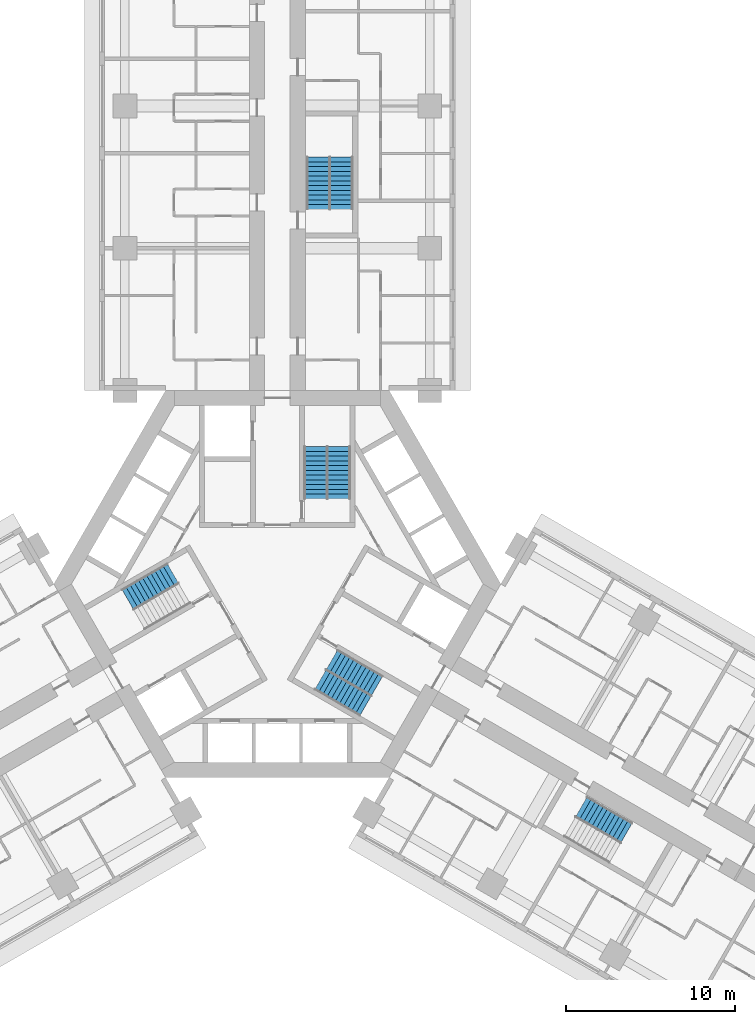
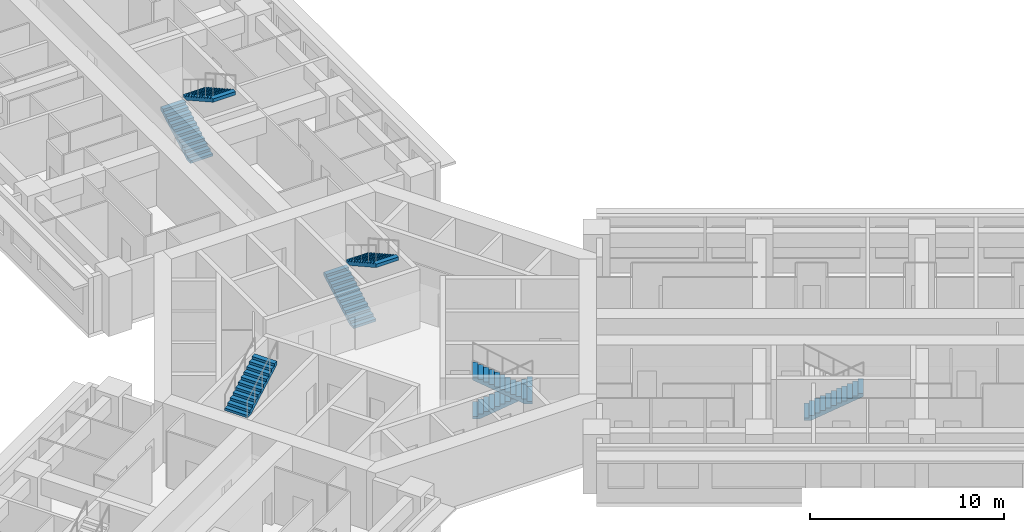
# One storey, part 15 of 16: 8 stair flights, 5 elements without a shape of their own.
"""IFC4 building model written with IfcOpenShell, lengths in metres."""

import ifcopenshell
import ifcopenshell.guid

model = None  # the IFC model being written
_history = None  # IfcOwnerHistory: only IFC2X3 demands one
_inside = {}  # id of a spatial element -> (the spatial element, [elements in it])
_under = {}  # id of a project, library or spatial element -> (it, [spatial elements below it])
_declared = {}  # id of a project -> (the project, [libraries it declares])
_typed = {}  # id of a type object -> (the type object, [elements of that type])
_made_of = {}  # id of a material, layer set ... -> (it, [elements and type objects made of it])


def new_model(schema):
    """Start an empty IFC model of exactly this schema.

    Asked for "IFC4X3", IfcOpenShell would pick the latest addendum, in which some entities
    have other attributes; the version numbers below select the first issue.
    IFC2X3 requires an IfcOwnerHistory on every rooted entity: one is made here for all.
    """
    global model, _history
    if schema == "IFC4X3":
        model = ifcopenshell.file(schema_version=(4, 3, 0, 0))
    else:
        model = ifcopenshell.file(schema=schema)
    _inside.clear()
    _under.clear()
    _declared.clear()
    _typed.clear()
    _made_of.clear()
    _history = None
    if model.schema == "IFC2X3":
        org = make("IfcOrganization", Name="unknown")
        user = make(
            "IfcPersonAndOrganization",
            ThePerson=make("IfcPerson", FamilyName="unknown"),
            TheOrganization=org,
        )
        app = make(
            "IfcApplication",
            ApplicationDeveloper=org,
            Version="unknown",
            ApplicationFullName="unknown",
            ApplicationIdentifier="unknown",
        )
        _history = make(
            "IfcOwnerHistory",
            OwningUser=user,
            OwningApplication=app,
            ChangeAction="ADDED",
            CreationDate=0,
        )
    return model


def make(cls, **values):
    """One entity of the class cls with the attributes given. An attribute that is None is left unset."""
    return model.create_entity(
        cls, **{name: value for name, value in values.items() if value is not None}
    )


def rooted(cls, **values):
    """An entity with a GlobalId (a new one), such as an element, a storey or a relation."""
    return make(cls, GlobalId=ifcopenshell.guid.new(), OwnerHistory=_history, **values)


def si_unit(unit_type, name, prefix=None):
    """IfcSIUnit, for example si_unit("LENGTHUNIT", "METRE", prefix="MILLI")."""
    return make("IfcSIUnit", UnitType=unit_type, Prefix=prefix, Name=name)


def assignment(units):
    """IfcUnitAssignment: the units of a project."""
    return None if units is None else make("IfcUnitAssignment", Units=units)


def point(xyz):
    """IfcCartesianPoint."""
    return None if xyz is None else make("IfcCartesianPoint", Coordinates=xyz)


def direction(xyz):
    """IfcDirection."""
    return None if xyz is None else make("IfcDirection", DirectionRatios=xyz)


def frame(location, z_axis=None, x_axis=None):
    """IfcAxis2Placement3D, a coordinate frame: its origin and axes. An axis left out is left unset."""
    return make(
        "IfcAxis2Placement3D",
        Location=point(location),
        Axis=direction(z_axis),
        RefDirection=direction(x_axis),
    )


def origin():
    """The frame at (0, 0, 0) with its axes left unset."""
    return frame((0.0, 0.0, 0.0))


def place(relative_to, where):
    """IfcLocalPlacement: puts the frame where relative to a parent placement (None: the world)."""
    return make(
        "IfcLocalPlacement", PlacementRelTo=relative_to, RelativePlacement=where
    )


def context(
    kind, dimensions, precision=None, world=None, true_north=None, identifier=None
):
    """IfcGeometricRepresentationContext, for example the 3D "Model" context."""
    return make(
        "IfcGeometricRepresentationContext",
        ContextIdentifier=identifier,
        ContextType=kind,
        CoordinateSpaceDimension=dimensions,
        Precision=precision,
        WorldCoordinateSystem=world,
        TrueNorth=true_north,
    )


def subcontext(parent, identifier, kind, view, scale=None):
    """IfcGeometricRepresentationSubContext, for example "Body" below "Model"."""
    return make(
        "IfcGeometricRepresentationSubContext",
        ContextIdentifier=identifier,
        ContextType=kind,
        ParentContext=parent,
        TargetScale=scale,
        TargetView=view,
    )


def project(units=None, contexts=None):
    """IfcProject with its units and contexts."""
    return rooted(
        "IfcProject",
        Name="project",
        RepresentationContexts=contexts,
        UnitsInContext=assignment(units),
    )


def spatial(cls, under=None, at=None, **own):
    """A site, building, storey or space (cls), placed at a placement, below another one or the project."""
    s = rooted(cls, ObjectPlacement=at, **own)
    if under is not None:
        _under.setdefault(under.id(), (under, []))[1].append(s)
    return s


def polyline(points):
    """IfcPolyline through the points."""
    return make("IfcPolyline", Points=[point(p) for p in points])


def outline(outer, holes=None, kind="AREA"):
    """IfcArbitraryClosedProfileDef: a profile drawn as a closed curve; with holes, ...WithVoids."""
    if holes is None:
        return make("IfcArbitraryClosedProfileDef", ProfileType=kind, OuterCurve=outer)
    return make(
        "IfcArbitraryProfileDefWithVoids",
        ProfileType=kind,
        OuterCurve=outer,
        InnerCurves=holes,
    )


def extrude(swept, where, along, depth):
    """IfcExtrudedAreaSolid: the profile swept, set in the frame where, extruded along a direction by depth."""
    return make(
        "IfcExtrudedAreaSolid",
        SweptArea=swept,
        Position=where,
        ExtrudedDirection=direction(along),
        Depth=depth,
    )


def shape(context_of_items, identifier, shape_type, items):
    """IfcShapeRepresentation: the items that make up one representation, for example the "Body"."""
    return make(
        "IfcShapeRepresentation",
        ContextOfItems=context_of_items,
        RepresentationIdentifier=identifier,
        RepresentationType=shape_type,
        Items=items,
    )


def material(Name=None, Category=None):
    """IfcMaterial."""
    return make("IfcMaterial", Name=Name, Category=Category)


def made_of(thing, what):
    """Note that an element or type object is made of a material, layer set ...; save() writes the relation."""
    if what is not None:
        _made_of.setdefault(what.id(), (what, []))[1].append(thing)
    return thing


def type_object(cls, material=None, **own):
    """A type object (cls), such as IfcWallType, which elements share."""
    return made_of(rooted(cls, **own), material)


def element(
    cls,
    number,
    at=None,
    inside=None,
    cuts=None,
    type_object=None,
    material=None,
    context=None,
    identifier="Body",
    shape_type=None,
    held_by="IfcProductDefinitionShape",
    body=None,
    shapes=None,
    **own,
):
    """One element of the class cls, such as IfcWall. Its Tag is "e" and its number.

    at: its placement. inside: the storey or other place that contains it. cuts: it is an
    opening in that element (IfcRelVoidsElement). A single representation is given by context,
    identifier, shape_type and body (its items); several are given by shapes. held_by: the class
    of the entity that holds the representations. save() writes the other relations.
    """
    e = rooted(cls, Tag="e%d" % number, ObjectPlacement=at, **own)
    if body is not None:
        shapes = [shape(context, identifier, shape_type, body)]
    if shapes is not None:
        e.Representation = make(held_by, Representations=shapes)
    if inside is not None:
        _inside.setdefault(inside.id(), (inside, []))[1].append(e)
    if cuts is not None:
        rooted(
            "IfcRelVoidsElement", RelatingBuildingElement=cuts, RelatedOpeningElement=e
        )
    if type_object is not None:
        _typed.setdefault(type_object.id(), (type_object, []))[1].append(e)
    return made_of(e, material)


def aggregate(whole, parts):
    """IfcRelAggregates: a whole, such as a stair, and the parts it consists of."""
    return rooted("IfcRelAggregates", RelatingObject=whole, RelatedObjects=parts)


def save(model, path):
    """Write the relations noted so far, then the file.

    IfcRelAggregates (storeys below a building ...), IfcRelContainedInSpatialStructure (elements
    in a storey), IfcRelDefinesByType, IfcRelAssociatesMaterial and IfcRelDeclares: one each for
    every whole, place, type object, material and project.
    """
    for whole, parts in _under.values():
        aggregate(whole, parts)
    for where, things in _inside.values():
        rooted(
            "IfcRelContainedInSpatialStructure",
            RelatedElements=things,
            RelatingStructure=where,
        )
    for kind, things in _typed.values():
        rooted("IfcRelDefinesByType", RelatedObjects=things, RelatingType=kind)
    for what, things in _made_of.values():
        rooted("IfcRelAssociatesMaterial", RelatedObjects=things, RelatingMaterial=what)
    for by, libraries in _declared.values():
        rooted("IfcRelDeclares", RelatingContext=by, RelatedDefinitions=libraries)
    model.write(path)


model = new_model("IFC4")

# Units and contexts
model_context = context("Model", 3, precision=1e-05, world=origin(), true_north=direction((0.0, 1.0)))
body_context = subcontext(model_context, "Body", "Model", "MODEL_VIEW")
ifc_project = project(units=[si_unit("LENGTHUNIT", "METRE"), si_unit("AREAUNIT", "SQUARE_METRE"), si_unit("VOLUMEUNIT", "CUBIC_METRE"), si_unit("PLANEANGLEUNIT", "RADIAN"), si_unit("MASSUNIT", "GRAM", prefix="KILO")], contexts=[model_context])

# Site, building, storey
site_placement = place(None, origin())
site = spatial("IfcSite", under=ifc_project, at=site_placement, CompositionType="ELEMENT")
building_placement = place(site_placement, origin())
building = spatial("IfcBuilding", under=site, at=building_placement, Name="Impinga Residences", CompositionType="ELEMENT")
storey_placement = place(building_placement, frame((0.0, 0.0, 67.25)))
storey = spatial("IfcBuildingStorey", under=building, at=storey_placement, Name="L16", CompositionType="ELEMENT", Elevation=67.25)

# Stair, stair flights
ifc_material = material(Name="Concrete C40/50", Category="concrete")
stair_type_1 = type_object("IfcStairType", Name="STR core stair 3750 storey, 24 risers", PredefinedType="HALF_TURN_STAIR", material=ifc_material)
stair_1_placement = place(storey_placement, origin())
stair_1 = element("IfcStair", 1, at=stair_1_placement, inside=storey, type_object=stair_type_1, Name="Stair ST1 L16", PredefinedType="HALF_TURN_STAIR")
stair_flight_type = type_object("IfcStairFlightType", Name="SF 12 risers of 156", PredefinedType="STRAIGHT", material=ifc_material)
stair_flight_1_placement = place(storey_placement, frame((2.27490234375, 5.030029296875, 0.0), z_axis=(0.0, 0.0, 1.0), x_axis=(0.0, 1.0, 0.0)))
stair_flight_1 = element("IfcStairFlight", 2, at=stair_flight_1_placement, type_object=stair_flight_type, Name="ST1 flight 1", NumberOfRisers=12, NumberOfTreads=11, PredefinedType="STRAIGHT", RiserHeight=0.15625, TreadLength=0.28, context=body_context, shape_type="SweptSolid", body=[
    extrude(outline(polyline([(0.0, 0.0), (0.0, 0.15625), (0.280029296875, 0.15625), (0.280029296875, 0.3125), (0.56005859375, 0.3125), (0.56005859375, 0.46875), (0.840087890625, 0.46875), (0.840087890625, 0.625), (1.1201171875, 0.625), (1.1201171875, 0.78125), (1.39990234375, 0.78125), (1.39990234375, 0.9375), (1.679931640625, 0.9375), (1.679931640625, 1.09375), (1.9599609375, 1.09375), (1.9599609375, 1.25), (2.239990234375, 1.25), (2.239990234375, 1.40625), (2.52001953125, 1.40625), (2.52001953125, 1.5625), (2.800048828125, 1.5625), (2.800048828125, 1.71875), (3.080078125, 1.71875), (3.080078125, 1.875), (3.080078125, 1.5126953125), (0.369140625, 0.0), (0.0, 0.0)])), frame((0.0, 0.675048828125, 0.0), z_axis=(0.0, -1.0, 0.0), x_axis=(1.0, 0.0, 0.0)), (0.0, 0.0, 1.0), 1.35009765625),
])
stair_flight_2_placement = place(storey_placement, frame((3.625, 8.110107421875, 1.875), z_axis=(0.0, 0.0, 1.0), x_axis=(0.0, -1.0, 0.0)))
stair_flight_2 = element("IfcStairFlight", 3, at=stair_flight_2_placement, type_object=stair_flight_type, Name="ST1 flight 2", NumberOfRisers=12, NumberOfTreads=11, PredefinedType="STRAIGHT", RiserHeight=0.15625, TreadLength=0.28, context=body_context, shape_type="SweptSolid", body=[
    extrude(outline(polyline([(0.0, 0.0), (0.0, 0.15625), (0.280029296875, 0.15625), (0.280029296875, 0.3125), (0.56005859375, 0.3125), (0.56005859375, 0.46875), (0.840087890625, 0.46875), (0.840087890625, 0.625), (1.1201171875, 0.625), (1.1201171875, 0.78125), (1.39990234375, 0.78125), (1.39990234375, 0.9375), (1.679931640625, 0.9375), (1.679931640625, 1.09375), (1.9599609375, 1.09375), (1.9599609375, 1.25), (2.239990234375, 1.25), (2.239990234375, 1.40625), (2.52001953125, 1.40625), (2.52001953125, 1.5625), (2.800048828125, 1.5625), (2.800048828125, 1.71875), (3.080078125, 1.71875), (3.080078125, 1.875), (3.080078125, 1.5126953125), (0.369140625, 0.0), (0.0, 0.0)])), frame((0.0, 0.675048828125, 0.0), z_axis=(0.0, -1.0, 0.0), x_axis=(1.0, 0.0, 0.0)), (0.0, 0.0, 1.0), 1.35009765625),
])
aggregate(stair_1, [stair_flight_1, stair_flight_2])

# Stair, stair flight
stair_2_placement = place(storey_placement, origin())
stair_2 = element("IfcStair", 4, at=stair_2_placement, inside=storey, type_object=stair_type_1, Name="Stair ST2 L16", PredefinedType="HALF_TURN_STAIR")
stair_flight_3_placement = place(storey_placement, frame((-8.8359375, -0.915771484375, 1.875), z_axis=(0.0, 0.0, 1.0), x_axis=(0.866025403784, 0.5, 0.0)))
stair_flight_3 = element("IfcStairFlight", 5, at=stair_flight_3_placement, type_object=stair_flight_type, Name="ST2 flight 2", NumberOfRisers=12, NumberOfTreads=11, PredefinedType="STRAIGHT", RiserHeight=0.15625, TreadLength=0.28, context=body_context, shape_type="SweptSolid", body=[
    extrude(outline(polyline([(0.0, 0.0), (0.0, 0.15625), (0.280029296875, 0.15625), (0.280029296875, 0.3125), (0.56005859375, 0.3125), (0.56005859375, 0.46875), (0.840087890625, 0.46875), (0.840087890625, 0.625), (1.1201171875, 0.625), (1.1201171875, 0.78125), (1.39990234375, 0.78125), (1.39990234375, 0.9375), (1.679931640625, 0.9375), (1.679931640625, 1.09375), (1.9599609375, 1.09375), (1.9599609375, 1.25), (2.239990234375, 1.25), (2.239990234375, 1.40625), (2.52001953125, 1.40625), (2.52001953125, 1.5625), (2.800048828125, 1.5625), (2.800048828125, 1.71875), (3.080078125, 1.71875), (3.080078125, 1.875), (3.080078125, 1.5126953125), (0.369140625, 0.0), (0.0, 0.0)])), frame((0.0, 0.675048828125, 0.0), z_axis=(0.0, -1.0, 0.0), x_axis=(1.0, 0.0, 0.0)), (0.0, 0.0, 1.0), 1.35009765625),
])
aggregate(stair_2, [stair_flight_3])

# Stair, stair flights
stair_3_placement = place(storey_placement, origin())
stair_3 = element("IfcStair", 6, at=stair_3_placement, inside=storey, type_object=stair_type_1, Name="Stair ST3 L16", PredefinedType="HALF_TURN_STAIR")
stair_flight_4_placement = place(storey_placement, frame((3.218505859375, -4.485107421875, 0.0), z_axis=(0.0, 0.0, 1.0), x_axis=(0.866025403784, -0.5, 0.0)))
stair_flight_4 = element("IfcStairFlight", 7, at=stair_flight_4_placement, type_object=stair_flight_type, Name="ST3 flight 1", NumberOfRisers=12, NumberOfTreads=11, PredefinedType="STRAIGHT", RiserHeight=0.15625, TreadLength=0.28, context=body_context, shape_type="SweptSolid", body=[
    extrude(outline(polyline([(0.0, 0.0), (0.0, 0.15625), (0.280029296875, 0.15625), (0.280029296875, 0.3125), (0.56005859375, 0.3125), (0.56005859375, 0.46875), (0.840087890625, 0.46875), (0.840087890625, 0.625), (1.1201171875, 0.625), (1.1201171875, 0.78125), (1.39990234375, 0.78125), (1.39990234375, 0.9375), (1.679931640625, 0.9375), (1.679931640625, 1.09375), (1.9599609375, 1.09375), (1.9599609375, 1.25), (2.239990234375, 1.25), (2.239990234375, 1.40625), (2.52001953125, 1.40625), (2.52001953125, 1.5625), (2.800048828125, 1.5625), (2.800048828125, 1.71875), (3.080078125, 1.71875), (3.080078125, 1.875), (3.080078125, 1.5126953125), (0.369140625, 0.0), (0.0, 0.0)])), frame((0.0, 0.675048828125, 0.0), z_axis=(0.0, -1.0, 0.0), x_axis=(1.0, 0.0, 0.0)), (0.0, 0.0, 1.0), 1.35009765625),
])
stair_flight_5_placement = place(storey_placement, frame((5.2109375, -7.1943359375, 1.875), z_axis=(0.0, 0.0, 1.0), x_axis=(-0.866025403784, 0.5, 0.0)))
stair_flight_5 = element("IfcStairFlight", 8, at=stair_flight_5_placement, type_object=stair_flight_type, Name="ST3 flight 2", NumberOfRisers=12, NumberOfTreads=11, PredefinedType="STRAIGHT", RiserHeight=0.15625, TreadLength=0.28, context=body_context, shape_type="SweptSolid", body=[
    extrude(outline(polyline([(0.0, 0.0), (0.0, 0.15625), (0.280029296875, 0.15625), (0.280029296875, 0.3125), (0.56005859375, 0.3125), (0.56005859375, 0.46875), (0.840087890625, 0.46875), (0.840087890625, 0.625), (1.1201171875, 0.625), (1.1201171875, 0.78125), (1.39990234375, 0.78125), (1.39990234375, 0.9375), (1.679931640625, 0.9375), (1.679931640625, 1.09375), (1.9599609375, 1.09375), (1.9599609375, 1.25), (2.239990234375, 1.25), (2.239990234375, 1.40625), (2.52001953125, 1.40625), (2.52001953125, 1.5625), (2.800048828125, 1.5625), (2.800048828125, 1.71875), (3.080078125, 1.71875), (3.080078125, 1.875), (3.080078125, 1.5126953125), (0.369140625, 0.0), (0.0, 0.0)])), frame((0.0, 0.675048828125, 0.0), z_axis=(0.0, -1.0, 0.0), x_axis=(1.0, 0.0, 0.0)), (0.0, 0.0, 1.0), 1.35009765625),
])
aggregate(stair_3, [stair_flight_4, stair_flight_5])

stair_type_2 = type_object("IfcStairType", Name="STR wing stair 3750 storey, 24 risers", PredefinedType="HALF_TURN_STAIR", material=ifc_material)
stair_4_placement = place(storey_placement, origin())
stair_4 = element("IfcStair", 9, at=stair_4_placement, inside=storey, type_object=stair_type_2, Name="Stair WS1 L16", PredefinedType="HALF_TURN_STAIR")
stair_flight_6_placement = place(storey_placement, frame((2.425048828125, 22.131591796875, 0.0), z_axis=(0.0, 0.0, 1.0), x_axis=(0.0, 1.0, 0.0)))
stair_flight_6 = element("IfcStairFlight", 10, at=stair_flight_6_placement, type_object=stair_flight_type, Name="WS1 flight 1", NumberOfRisers=12, NumberOfTreads=11, PredefinedType="STRAIGHT", RiserHeight=0.15625, TreadLength=0.28, context=body_context, shape_type="SweptSolid", body=[
    extrude(outline(polyline([(0.0, 0.0), (0.0, 0.15625), (0.280029296875, 0.15625), (0.280029296875, 0.3125), (0.56005859375, 0.3125), (0.56005859375, 0.46875), (0.840087890625, 0.46875), (0.840087890625, 0.625), (1.1201171875, 0.625), (1.1201171875, 0.78125), (1.39990234375, 0.78125), (1.39990234375, 0.9375), (1.679931640625, 0.9375), (1.679931640625, 1.09375), (1.9599609375, 1.09375), (1.9599609375, 1.25), (2.239990234375, 1.25), (2.239990234375, 1.40625), (2.52001953125, 1.40625), (2.52001953125, 1.5625), (2.800048828125, 1.5625), (2.800048828125, 1.71875), (3.080078125, 1.71875), (3.080078125, 1.875), (3.080078125, 1.5126953125), (0.369140625, 0.0), (0.0, 0.0)])), frame((0.0, 0.675048828125, 0.0), z_axis=(0.0, -1.0, 0.0), x_axis=(1.0, 0.0, 0.0)), (0.0, 0.0, 1.0), 1.35009765625),
])
stair_flight_7_placement = place(storey_placement, frame((3.77490234375, 25.21142578125, 1.875), z_axis=(0.0, 0.0, 1.0), x_axis=(0.0, -1.0, 0.0)))
stair_flight_7 = element("IfcStairFlight", 11, at=stair_flight_7_placement, type_object=stair_flight_type, Name="WS1 flight 2", NumberOfRisers=12, NumberOfTreads=11, PredefinedType="STRAIGHT", RiserHeight=0.15625, TreadLength=0.28, context=body_context, shape_type="SweptSolid", body=[
    extrude(outline(polyline([(0.0, 0.0), (0.0, 0.15625), (0.280029296875, 0.15625), (0.280029296875, 0.3125), (0.56005859375, 0.3125), (0.56005859375, 0.46875), (0.840087890625, 0.46875), (0.840087890625, 0.625), (1.1201171875, 0.625), (1.1201171875, 0.78125), (1.39990234375, 0.78125), (1.39990234375, 0.9375), (1.679931640625, 0.9375), (1.679931640625, 1.09375), (1.9599609375, 1.09375), (1.9599609375, 1.25), (2.239990234375, 1.25), (2.239990234375, 1.40625), (2.52001953125, 1.40625), (2.52001953125, 1.5625), (2.800048828125, 1.5625), (2.800048828125, 1.71875), (3.080078125, 1.71875), (3.080078125, 1.875), (3.080078125, 1.5126953125), (0.369140625, 0.0), (0.0, 0.0)])), frame((0.0, 0.675048828125, 0.0), z_axis=(0.0, -1.0, 0.0), x_axis=(1.0, 0.0, 0.0)), (0.0, 0.0, 1.0), 1.35009765625),
])
aggregate(stair_4, [stair_flight_6, stair_flight_7])

# Stair, stair flight
stair_5_placement = place(storey_placement, origin())
stair_5 = element("IfcStair", 12, at=stair_5_placement, inside=storey, type_object=stair_type_2, Name="Stair WS3 L16", PredefinedType="HALF_TURN_STAIR")
stair_flight_8_placement = place(storey_placement, frame((17.953857421875, -13.165771484375, 0.0), z_axis=(0.0, 0.0, 1.0), x_axis=(0.866025403784, -0.5, 0.0)))
stair_flight_8 = element("IfcStairFlight", 13, at=stair_flight_8_placement, type_object=stair_flight_type, Name="WS3 flight 1", NumberOfRisers=12, NumberOfTreads=11, PredefinedType="STRAIGHT", RiserHeight=0.15625, TreadLength=0.28, context=body_context, shape_type="SweptSolid", body=[
    extrude(outline(polyline([(0.0, 0.0), (0.0, 0.15625), (0.280029296875, 0.15625), (0.280029296875, 0.3125), (0.56005859375, 0.3125), (0.56005859375, 0.46875), (0.840087890625, 0.46875), (0.840087890625, 0.625), (1.1201171875, 0.625), (1.1201171875, 0.78125), (1.39990234375, 0.78125), (1.39990234375, 0.9375), (1.679931640625, 0.9375), (1.679931640625, 1.09375), (1.9599609375, 1.09375), (1.9599609375, 1.25), (2.239990234375, 1.25), (2.239990234375, 1.40625), (2.52001953125, 1.40625), (2.52001953125, 1.5625), (2.800048828125, 1.5625), (2.800048828125, 1.71875), (3.080078125, 1.71875), (3.080078125, 1.875), (3.080078125, 1.5126953125), (0.369140625, 0.0), (0.0, 0.0)])), frame((0.0, 0.675048828125, 0.0), z_axis=(0.0, -1.0, 0.0), x_axis=(1.0, 0.0, 0.0)), (0.0, 0.0, 1.0), 1.35009765625),
])
aggregate(stair_5, [stair_flight_8])

save(model, "model.ifc")
